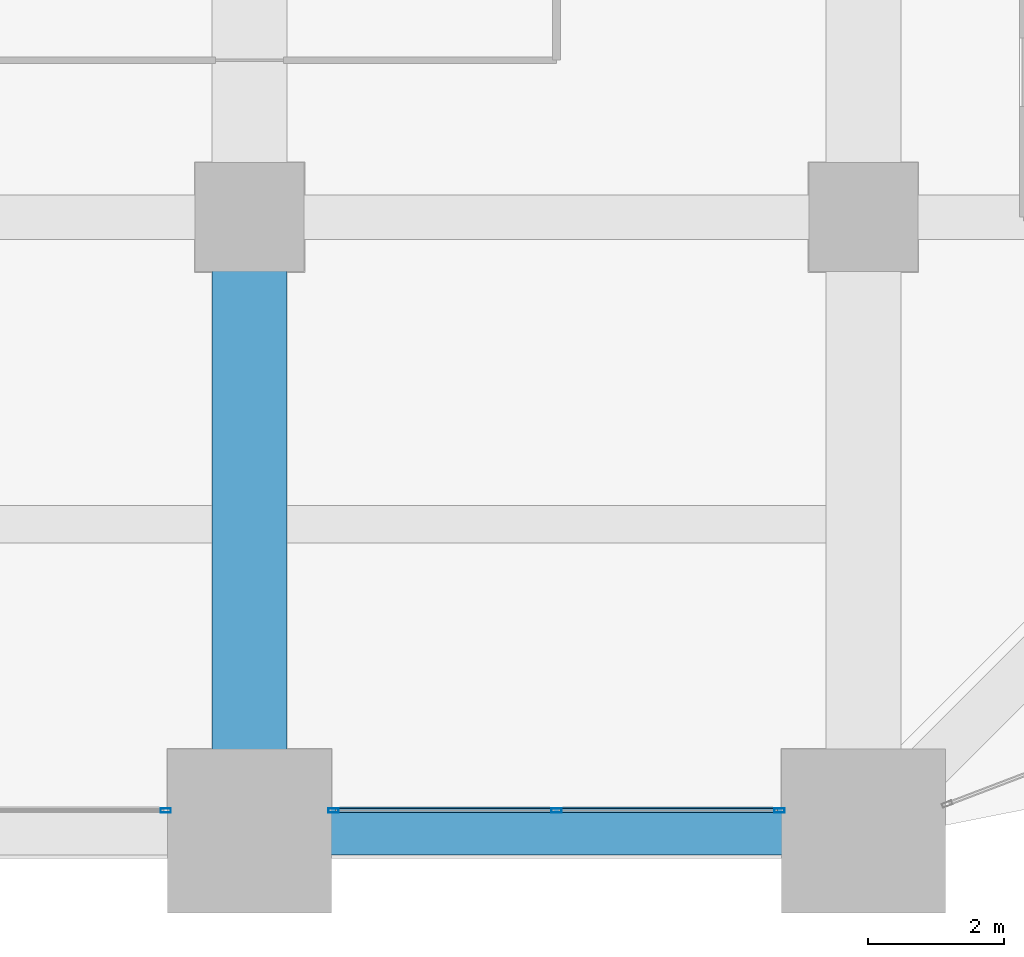
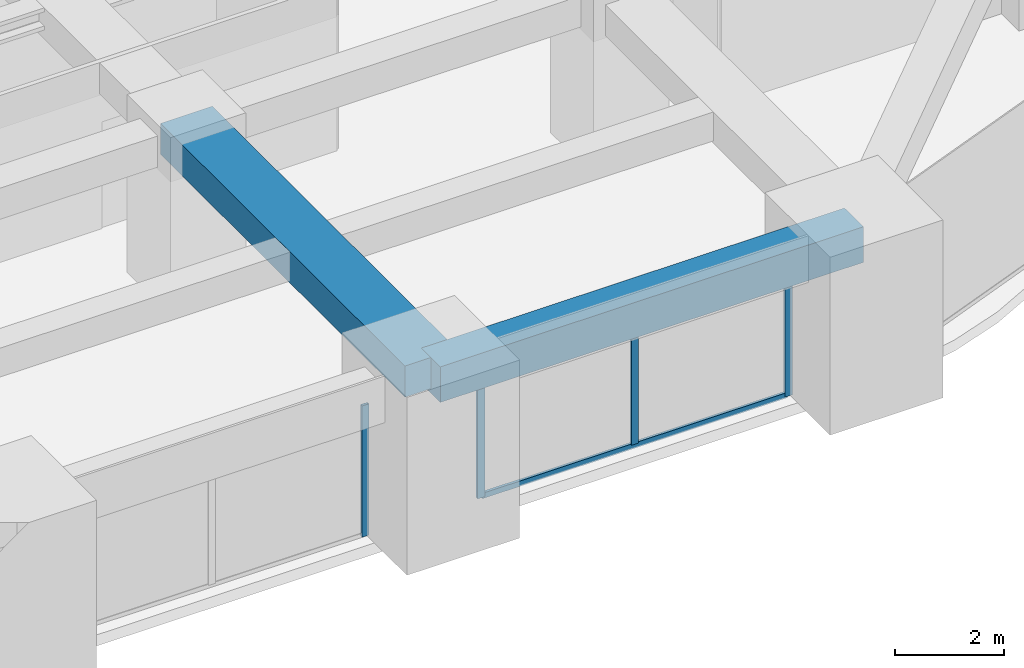
# One storey, part 13 of 33: 5 members, 2 beams, 2 elements without a shape of their own.
"""IFC4 building model written with IfcOpenShell, lengths in metres."""

from ifc_helpers import new_model, si_unit, direction, frame, origin, origin_2d, place, context, subcontext, project, spatial, rectangle, hollow_rectangle, extrude, material, material_profile, profile_set, type_object, element, aggregate, save


model = new_model("IFC4")

# Units and contexts
model_context = context("Model", 3, precision=1e-05, world=origin(), true_north=direction((0.0, 1.0)))
body_context = subcontext(model_context, "Body", "Model", "MODEL_VIEW")
ifc_project = project(units=[si_unit("LENGTHUNIT", "METRE"), si_unit("AREAUNIT", "SQUARE_METRE"), si_unit("VOLUMEUNIT", "CUBIC_METRE"), si_unit("PLANEANGLEUNIT", "RADIAN"), si_unit("MASSUNIT", "GRAM", prefix="KILO")], contexts=[model_context])

# Site, building, storey
site_placement = place(None, origin())
site = spatial("IfcSite", under=ifc_project, at=site_placement, CompositionType="ELEMENT")
building_placement = place(site_placement, origin())
building = spatial("IfcBuilding", under=site, at=building_placement, Name="Zorevar Civic Tower", CompositionType="ELEMENT")
storey_placement = place(building_placement, frame((0.0, 0.0, 194.199951171875)))
storey = spatial("IfcBuildingStorey", under=building, at=storey_placement, Name="L47", CompositionType="ELEMENT", Elevation=194.199951171875)

# Beam
ifc_material_1 = material(Name="Concrete C50/60", Category="concrete")
ifc_material_profile_1 = material_profile(ifc_material_1, rectangle(XDim=1.10009765625, YDim=0.699951171875, at=origin_2d()), Name="RC 1100x700")
ifc_profile_set_1 = profile_set([ifc_material_profile_1], Name="Concrete C50/60")
beam_type_1 = type_object("IfcBeamType", Name="Beam RC 1100x700", PredefinedType="BEAM", material=ifc_profile_set_1)
beam_1_placement = place(storey_placement, frame((36.0, 0.0, 3.400146484375), z_axis=(0.0, 1.0, 0.0), x_axis=(-1.0, 0.0, 0.0)))
element("IfcBeam", 1, at=beam_1_placement, inside=storey, type_object=beam_type_1, Name="Girder L48", PredefinedType="BEAM", context=body_context, shape_type="SweptSolid", body=[
    extrude(rectangle(XDim=1.10009765625, YDim=0.699951171875, at=origin_2d()), origin(), (0.0, 0.0, 1.0), 9.0),
])

# Curtain wall, member
ifc_material_2 = material(Name="Dark grey solar-control glass in black aluminium frame", Category="aluminium")
curtain_wall_type = type_object("IfcCurtainWallType", Name="Curtain wall CW4 high zone", PredefinedType="NOTDEFINED", material=ifc_material_2)
curtain_wall_1_placement = place(storey_placement, origin())
curtain_wall_1 = element("IfcCurtainWall", 2, at=curtain_wall_1_placement, inside=storey, type_object=curtain_wall_type, Name="CW4 L47", PredefinedType="NOTDEFINED")
ifc_material_3 = material(Name="Aluminium, black anodised", Category="aluminium")
ifc_material_profile_2 = material_profile(ifc_material_3, hollow_rectangle(XDim=0.06005859375, YDim=0.14990234375, WallThickness=0.00390625, at=origin_2d()), Name="AL 150x60x4")
ifc_profile_set_2 = profile_set([ifc_material_profile_2], Name="Aluminium, black anodised")
member_type_1 = type_object("IfcMemberType", Name="CW4 mullion AL 150x60x4", PredefinedType="MULLION", material=ifc_profile_set_2)
member_1_placement = place(storey_placement, frame((34.77001953125, 0.300048828125, 0.0), z_axis=(0.0, 0.0, 1.0), x_axis=(0.0, 1.0, 0.0)))
member_1 = element("IfcMember", 3, at=member_1_placement, type_object=member_type_1, Name="CW4 mullion 3", PredefinedType="MULLION", context=body_context, shape_type="SweptSolid", body=[
    extrude(hollow_rectangle(XDim=0.06005859375, YDim=0.14990234375, WallThickness=0.00390625, at=origin_2d()), origin(), (0.0, 0.0, 1.0), 2.949951171875),
])
aggregate(curtain_wall_1, [member_1])

# Curtain wall, members
curtain_wall_2_placement = place(storey_placement, origin())
curtain_wall_2 = element("IfcCurtainWall", 4, at=curtain_wall_2_placement, inside=storey, type_object=curtain_wall_type, Name="CW4 L47", PredefinedType="NOTDEFINED")
member_2_placement = place(storey_placement, frame((37.22998046875, 0.300048828125, 0.0), z_axis=(0.0, 0.0, 1.0), x_axis=(0.0, 1.0, 0.0)))
member_2 = element("IfcMember", 5, at=member_2_placement, type_object=member_type_1, Name="CW4 mullion 1", PredefinedType="MULLION", context=body_context, shape_type="SweptSolid", body=[
    extrude(hollow_rectangle(XDim=0.06005859375, YDim=0.14990234375, WallThickness=0.00390625, at=origin_2d()), origin(), (0.0, 0.0, 1.0), 2.949951171875),
])
member_3_placement = place(storey_placement, frame((40.5, 0.300048828125, 0.06005859375), z_axis=(0.0, 0.0, 1.0), x_axis=(0.0, 1.0, 0.0)))
member_3 = element("IfcMember", 6, at=member_3_placement, type_object=member_type_1, Name="CW4 mullion 2", PredefinedType="MULLION", context=body_context, shape_type="SweptSolid", body=[
    extrude(hollow_rectangle(XDim=0.06005859375, YDim=0.14990234375, WallThickness=0.00390625, at=origin_2d()), origin(), (0.0, 0.0, 1.0), 2.889892578125),
])
member_4_placement = place(storey_placement, frame((43.77001953125, 0.300048828125, 0.0), z_axis=(0.0, 0.0, 1.0), x_axis=(0.0, 1.0, 0.0)))
member_4 = element("IfcMember", 7, at=member_4_placement, type_object=member_type_1, Name="CW4 mullion 3", PredefinedType="MULLION", context=body_context, shape_type="SweptSolid", body=[
    extrude(hollow_rectangle(XDim=0.06005859375, YDim=0.14990234375, WallThickness=0.00390625, at=origin_2d()), origin(), (0.0, 0.0, 1.0), 2.949951171875),
])
ifc_material_4 = material(Name="Aluminium, black anodised", Category="aluminium")
ifc_material_profile_3 = material_profile(ifc_material_4, hollow_rectangle(XDim=0.06005859375, YDim=0.1201171875, WallThickness=0.0029296875, at=origin_2d()), Name="AL 120x60x3")
ifc_profile_set_3 = profile_set([ifc_material_profile_3], Name="Aluminium, black anodised")
member_type_2 = type_object("IfcMemberType", Name="CW4 transom AL 120x60x3", PredefinedType="USERDEFINED", material=ifc_profile_set_3)
member_5_placement = place(storey_placement, frame((37.260009765625, 0.300048828125, 0.030029296875), z_axis=(1.0, 0.0, 0.0), x_axis=(0.0, 1.0, 0.0)))
member_5 = element("IfcMember", 8, at=member_5_placement, type_object=member_type_2, Name="CW4 sill transom", ObjectType="TRANSOM", PredefinedType="USERDEFINED", context=body_context, shape_type="SweptSolid", body=[
    extrude(hollow_rectangle(XDim=0.06005859375, YDim=0.1201171875, WallThickness=0.0029296875, at=origin_2d()), origin(), (0.0, 0.0, 1.0), 6.47998046875),
])
aggregate(curtain_wall_2, [member_2, member_3, member_4, member_5])

# Beam
ifc_material_5 = material(Name="Concrete C50/60", Category="concrete")
ifc_material_profile_4 = material_profile(ifc_material_5, rectangle(XDim=0.699951171875, YDim=0.800048828125, at=origin_2d()), Name="RC 700x800")
ifc_profile_set_4 = profile_set([ifc_material_profile_4], Name="Concrete C50/60")
beam_type_2 = type_object("IfcBeamType", Name="Edge beam RC 700x800", PredefinedType="SPANDREL", material=ifc_profile_set_4)
beam_2_placement = place(storey_placement, frame((36.0, 0.0, 3.35009765625), z_axis=(1.0, 0.0, 0.0), x_axis=(0.0, 1.0, 0.0)))
element("IfcBeam", 9, at=beam_2_placement, inside=storey, type_object=beam_type_2, Name="Edge beam L48", PredefinedType="SPANDREL", context=body_context, shape_type="SweptSolid", body=[
    extrude(rectangle(XDim=0.699951171875, YDim=0.800048828125, at=origin_2d()), origin(), (0.0, 0.0, 1.0), 9.0),
])

save(model, "model.ifc")
